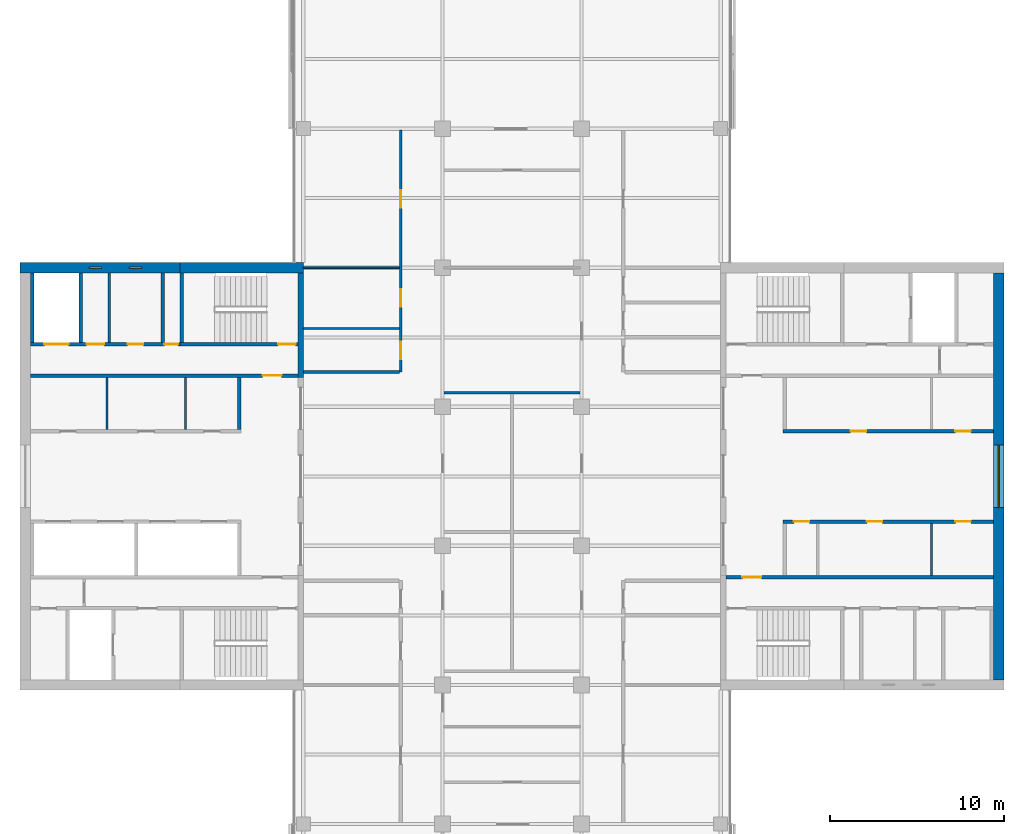
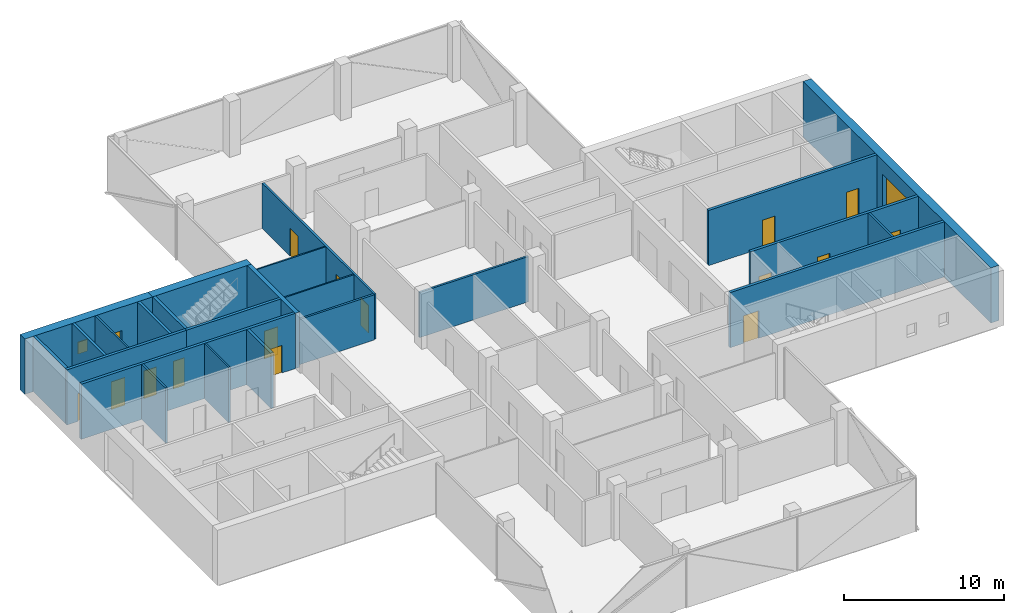
# One storey, part 11 of 16: 24 walls, 15 doors, 3 windows, 18 openings.
"""IFC4 building model written with IfcOpenShell, lengths in metres."""

import ifcopenshell
import ifcopenshell.guid

model = None  # the IFC model being written
_history = None  # IfcOwnerHistory: only IFC2X3 demands one
_inside = {}  # id of a spatial element -> (the spatial element, [elements in it])
_under = {}  # id of a project, library or spatial element -> (it, [spatial elements below it])
_declared = {}  # id of a project -> (the project, [libraries it declares])
_typed = {}  # id of a type object -> (the type object, [elements of that type])
_made_of = {}  # id of a material, layer set ... -> (it, [elements and type objects made of it])


def new_model(schema):
    """Start an empty IFC model of exactly this schema.

    Asked for "IFC4X3", IfcOpenShell would pick the latest addendum, in which some entities
    have other attributes; the version numbers below select the first issue.
    IFC2X3 requires an IfcOwnerHistory on every rooted entity: one is made here for all.
    """
    global model, _history
    if schema == "IFC4X3":
        model = ifcopenshell.file(schema_version=(4, 3, 0, 0))
    else:
        model = ifcopenshell.file(schema=schema)
    _inside.clear()
    _under.clear()
    _declared.clear()
    _typed.clear()
    _made_of.clear()
    _history = None
    if model.schema == "IFC2X3":
        org = make("IfcOrganization", Name="unknown")
        user = make(
            "IfcPersonAndOrganization",
            ThePerson=make("IfcPerson", FamilyName="unknown"),
            TheOrganization=org,
        )
        app = make(
            "IfcApplication",
            ApplicationDeveloper=org,
            Version="unknown",
            ApplicationFullName="unknown",
            ApplicationIdentifier="unknown",
        )
        _history = make(
            "IfcOwnerHistory",
            OwningUser=user,
            OwningApplication=app,
            ChangeAction="ADDED",
            CreationDate=0,
        )
    return model


def make(cls, **values):
    """One entity of the class cls with the attributes given. An attribute that is None is left unset."""
    return model.create_entity(
        cls, **{name: value for name, value in values.items() if value is not None}
    )


def rooted(cls, **values):
    """An entity with a GlobalId (a new one), such as an element, a storey or a relation."""
    return make(cls, GlobalId=ifcopenshell.guid.new(), OwnerHistory=_history, **values)


def si_unit(unit_type, name, prefix=None):
    """IfcSIUnit, for example si_unit("LENGTHUNIT", "METRE", prefix="MILLI")."""
    return make("IfcSIUnit", UnitType=unit_type, Prefix=prefix, Name=name)


def assignment(units):
    """IfcUnitAssignment: the units of a project."""
    return None if units is None else make("IfcUnitAssignment", Units=units)


def point(xyz):
    """IfcCartesianPoint."""
    return None if xyz is None else make("IfcCartesianPoint", Coordinates=xyz)


def direction(xyz):
    """IfcDirection."""
    return None if xyz is None else make("IfcDirection", DirectionRatios=xyz)


def frame(location, z_axis=None, x_axis=None):
    """IfcAxis2Placement3D, a coordinate frame: its origin and axes. An axis left out is left unset."""
    return make(
        "IfcAxis2Placement3D",
        Location=point(location),
        Axis=direction(z_axis),
        RefDirection=direction(x_axis),
    )


def frame_2d(location, x_axis=None):
    """IfcAxis2Placement2D, a coordinate frame in the plane: its origin and x axis."""
    return make(
        "IfcAxis2Placement2D", Location=point(location), RefDirection=direction(x_axis)
    )


def origin():
    """The frame at (0, 0, 0) with its axes left unset."""
    return frame((0.0, 0.0, 0.0))


def place(relative_to, where):
    """IfcLocalPlacement: puts the frame where relative to a parent placement (None: the world)."""
    return make(
        "IfcLocalPlacement", PlacementRelTo=relative_to, RelativePlacement=where
    )


def context(
    kind, dimensions, precision=None, world=None, true_north=None, identifier=None
):
    """IfcGeometricRepresentationContext, for example the 3D "Model" context."""
    return make(
        "IfcGeometricRepresentationContext",
        ContextIdentifier=identifier,
        ContextType=kind,
        CoordinateSpaceDimension=dimensions,
        Precision=precision,
        WorldCoordinateSystem=world,
        TrueNorth=true_north,
    )


def subcontext(parent, identifier, kind, view, scale=None):
    """IfcGeometricRepresentationSubContext, for example "Body" below "Model"."""
    return make(
        "IfcGeometricRepresentationSubContext",
        ContextIdentifier=identifier,
        ContextType=kind,
        ParentContext=parent,
        TargetScale=scale,
        TargetView=view,
    )


def project(units=None, contexts=None):
    """IfcProject with its units and contexts."""
    return rooted(
        "IfcProject",
        Name="project",
        RepresentationContexts=contexts,
        UnitsInContext=assignment(units),
    )


def spatial(cls, under=None, at=None, **own):
    """A site, building, storey or space (cls), placed at a placement, below another one or the project."""
    s = rooted(cls, ObjectPlacement=at, **own)
    if under is not None:
        _under.setdefault(under.id(), (under, []))[1].append(s)
    return s


def profile(cls, at=None, kind="AREA", **sizes):
    """A parametric profile (cls). Its sizes go by their IFC names, for example OverallWidth=200.0."""
    return make(cls, ProfileType=kind, Position=at, **sizes)


def rectangle(**sizes):
    """IfcRectangleProfileDef."""
    return profile("IfcRectangleProfileDef", **sizes)


def extrude(swept, where, along, depth):
    """IfcExtrudedAreaSolid: the profile swept, set in the frame where, extruded along a direction by depth."""
    return make(
        "IfcExtrudedAreaSolid",
        SweptArea=swept,
        Position=where,
        ExtrudedDirection=direction(along),
        Depth=depth,
    )


def shape(context_of_items, identifier, shape_type, items):
    """IfcShapeRepresentation: the items that make up one representation, for example the "Body"."""
    return make(
        "IfcShapeRepresentation",
        ContextOfItems=context_of_items,
        RepresentationIdentifier=identifier,
        RepresentationType=shape_type,
        Items=items,
    )


def material(Name=None, Category=None):
    """IfcMaterial."""
    return make("IfcMaterial", Name=Name, Category=Category)


def layer(
    of_material, thickness, ventilated=None, Name=None, Category=None, Priority=None
):
    """IfcMaterialLayer: one layer of a wall or slab, of a material (None: an air gap)."""
    return make(
        "IfcMaterialLayer",
        Material=of_material,
        LayerThickness=thickness,
        IsVentilated=ventilated,
        Name=Name,
        Category=Category,
        Priority=Priority,
    )


def layer_set(layers, Name=None):
    """IfcMaterialLayerSet."""
    return make("IfcMaterialLayerSet", MaterialLayers=layers, LayerSetName=Name)


def constituent(of_material, Name=None, Category=None, fraction=None):
    """IfcMaterialConstituent: one of the materials an element consists of."""
    return make(
        "IfcMaterialConstituent",
        Name=Name,
        Material=of_material,
        Fraction=fraction,
        Category=Category,
    )


def constituent_set(constituents=None, Name=None):
    """IfcMaterialConstituentSet."""
    return make(
        "IfcMaterialConstituentSet", Name=Name, MaterialConstituents=constituents
    )


def made_of(thing, what):
    """Note that an element or type object is made of a material, layer set ...; save() writes the relation."""
    if what is not None:
        _made_of.setdefault(what.id(), (what, []))[1].append(thing)
    return thing


def type_object(cls, material=None, **own):
    """A type object (cls), such as IfcWallType, which elements share."""
    return made_of(rooted(cls, **own), material)


def element(
    cls,
    number,
    at=None,
    inside=None,
    cuts=None,
    type_object=None,
    material=None,
    context=None,
    identifier="Body",
    shape_type=None,
    held_by="IfcProductDefinitionShape",
    body=None,
    shapes=None,
    **own,
):
    """One element of the class cls, such as IfcWall. Its Tag is "e" and its number.

    at: its placement. inside: the storey or other place that contains it. cuts: it is an
    opening in that element (IfcRelVoidsElement). A single representation is given by context,
    identifier, shape_type and body (its items); several are given by shapes. held_by: the class
    of the entity that holds the representations. save() writes the other relations.
    """
    e = rooted(cls, Tag="e%d" % number, ObjectPlacement=at, **own)
    if body is not None:
        shapes = [shape(context, identifier, shape_type, body)]
    if shapes is not None:
        e.Representation = make(held_by, Representations=shapes)
    if inside is not None:
        _inside.setdefault(inside.id(), (inside, []))[1].append(e)
    if cuts is not None:
        rooted(
            "IfcRelVoidsElement", RelatingBuildingElement=cuts, RelatedOpeningElement=e
        )
    if type_object is not None:
        _typed.setdefault(type_object.id(), (type_object, []))[1].append(e)
    return made_of(e, material)


def fill(opening, filler):
    """IfcRelFillsElement: the door or window that sits in an opening."""
    return rooted(
        "IfcRelFillsElement",
        RelatingOpeningElement=opening,
        RelatedBuildingElement=filler,
    )


def aggregate(whole, parts):
    """IfcRelAggregates: a whole, such as a stair, and the parts it consists of."""
    return rooted("IfcRelAggregates", RelatingObject=whole, RelatedObjects=parts)


def save(model, path):
    """Write the relations noted so far, then the file.

    IfcRelAggregates (storeys below a building ...), IfcRelContainedInSpatialStructure (elements
    in a storey), IfcRelDefinesByType, IfcRelAssociatesMaterial and IfcRelDeclares: one each for
    every whole, place, type object, material and project.
    """
    for whole, parts in _under.values():
        aggregate(whole, parts)
    for where, things in _inside.values():
        rooted(
            "IfcRelContainedInSpatialStructure",
            RelatedElements=things,
            RelatingStructure=where,
        )
    for kind, things in _typed.values():
        rooted("IfcRelDefinesByType", RelatedObjects=things, RelatingType=kind)
    for what, things in _made_of.values():
        rooted("IfcRelAssociatesMaterial", RelatedObjects=things, RelatingMaterial=what)
    for by, libraries in _declared.values():
        rooted("IfcRelDeclares", RelatingContext=by, RelatedDefinitions=libraries)
    model.write(path)


model = new_model("IFC4")

# Units and contexts
model_context = context("Model", 3, precision=1e-05, world=origin(), true_north=direction((0.0, 1.0)))
body_context = subcontext(model_context, "Body", "Model", "MODEL_VIEW")
ifc_project = project(units=[si_unit("LENGTHUNIT", "METRE"), si_unit("AREAUNIT", "SQUARE_METRE"), si_unit("VOLUMEUNIT", "CUBIC_METRE"), si_unit("PLANEANGLEUNIT", "RADIAN"), si_unit("MASSUNIT", "GRAM", prefix="KILO")], contexts=[model_context])

# Site, building, storey
site_placement = place(None, origin())
site = spatial("IfcSite", under=ifc_project, at=site_placement, CompositionType="ELEMENT")
building_placement = place(site_placement, origin())
building = spatial("IfcBuilding", under=site, at=building_placement, Name="Crosswind Convention Tower", CompositionType="ELEMENT")
storey_placement = place(building_placement, frame((0.0, 0.0, 208.300048828125)))
storey = spatial("IfcBuildingStorey", under=building, at=storey_placement, Name="L44", CompositionType="ELEMENT", Elevation=208.300048828125)

# Walls
ifc_material_1 = material(Name="Concrete blockwork", Category="masonry")
ifc_layer_1 = layer(ifc_material_1, 0.199951171875)
ifc_layer_set_1 = layer_set([ifc_layer_1], Name="Blockwork partition wall 200")
wall_type_1 = type_object("IfcWallType", Name="Blockwork partition wall 200", PredefinedType="PARTITIONING", material=ifc_layer_set_1)
wall_1_placement = place(storey_placement, frame((104.89990234375, 111.699951171875, 0.0), z_axis=(0.0, 0.0, 1.0), x_axis=(0.0, -1.0, 0.0)))
element("IfcWall", 1, at=wall_1_placement, inside=storey, type_object=wall_type_1, Name="Wall MRSE W L44", PredefinedType="PARTITIONING", context=body_context, shape_type="SweptSolid", body=[
    extrude(rectangle(XDim=4.0, YDim=0.199951171875, at=frame_2d((2.0, 0.0))), origin(), (0.0, 0.0, 1.0), 4.199951171875),
])
ifc_material_2 = material(Name="Concrete C50/60", Category="concrete")
ifc_layer_2 = layer(ifc_material_2, 0.300048828125)
ifc_layer_set_2 = layer_set([ifc_layer_2], Name="Concrete C50/60")
wall_type_2 = type_object("IfcWallType", Name="Concrete inner core wall 300", PredefinedType="SHEAR", material=ifc_layer_set_2)
wall_2_placement = place(storey_placement, frame((112.85009765625, 111.699951171875, 0.0), z_axis=(0.0, 0.0, 1.0), x_axis=(0.0, -1.0, 0.0)))
element("IfcWall", 2, at=wall_2_placement, inside=storey, type_object=wall_type_2, Name="Wall EM W L44", PredefinedType="SHEAR", context=body_context, shape_type="SweptSolid", body=[
    extrude(rectangle(XDim=6.0, YDim=0.300048828125, at=frame_2d((3.0, 0.0))), origin(), (0.0, 0.0, 1.0), 4.199951171875),
])

# Wall, openings, doors
ifc_layer_3 = layer(ifc_material_2, 0.199951171875)
ifc_layer_set_3 = layer_set([ifc_layer_3], Name="Concrete C50/60")
wall_type_3 = type_object("IfcWallType", Name="Concrete shaft and stair wall 200", PredefinedType="SHEAR", material=ifc_layer_set_3)
wall_3_placement = place(storey_placement, frame((140.60009765625, 102.60009765625, 0.0), z_axis=(0.0, 0.0, 1.0), x_axis=(1.0, 0.0, 0.0)))
wall_3 = element("IfcWall", 3, at=wall_3_placement, inside=storey, type_object=wall_type_3, Name="Wall RPFRONT E L44", PredefinedType="SHEAR", context=body_context, shape_type="SweptSolid", body=[
    extrude(rectangle(XDim=12.099853515625, YDim=0.199951171875, at=frame_2d((6.0498046875, 0.0))), origin(), (0.0, 0.0, 1.0), 4.199951171875),
])
opening_1_placement = place(wall_3_placement, frame((3.8837890625, 0.0, 0.0)))
opening_1 = element("IfcOpeningElement", 4, at=opening_1_placement, cuts=wall_3, Name="Opening D106", PredefinedType="OPENING", context=body_context, shape_type="SweptSolid", body=[
    extrude(rectangle(XDim=0.89990234375, YDim=2.10009765625, at=frame_2d((0.449951171875, 1.050048828125))), frame((0.0, 0.10986328125, 0.0), z_axis=(0.0, -1.0, 0.0), x_axis=(1.0, 0.0, 0.0)), (0.0, 0.0, 1.0), 0.219970703125),
])
opening_2_placement = place(wall_3_placement, frame((9.896240234375, 0.0, 0.0)))
opening_2 = element("IfcOpeningElement", 5, at=opening_2_placement, cuts=wall_3, Name="Opening D106", PredefinedType="OPENING", context=body_context, shape_type="SweptSolid", body=[
    extrude(rectangle(XDim=0.89990234375, YDim=2.10009765625, at=frame_2d((0.449951171875, 1.050048828125))), frame((0.0, 0.10986328125, 0.0), z_axis=(0.0, -1.0, 0.0), x_axis=(1.0, 0.0, 0.0)), (0.0, 0.0, 1.0), 0.219970703125),
])
ifc_material_3 = material(Name="Timber door", Category="wood")
door_type_1 = type_object("IfcDoorType", Name="Single leaf door 900x2100", OperationType="NOTDEFINED", PredefinedType="DOOR", material=ifc_material_3)
door_1_placement = place(opening_1_placement, origin())
door_1 = element("IfcDoor", 6, at=door_1_placement, inside=storey, type_object=door_type_1, Name="Door to telecoms room L44", ObjectType="D106", OperationType="SINGLE_SWING_RIGHT", OverallHeight=2.10009765625, OverallWidth=0.89990234375, PredefinedType="DOOR", context=body_context, shape_type="SweptSolid", body=[
    extrude(rectangle(XDim=0.89990234375, YDim=2.10009765625, at=frame_2d((0.449951171875, 1.050048828125))), frame((0.0, 0.02490234375, 0.0), z_axis=(0.0, -1.0, 0.0), x_axis=(1.0, 0.0, 0.0)), (0.0, 0.0, 1.0), 0.050048828125),
])
fill(opening_1, door_1)
door_2_placement = place(opening_2_placement, origin())
door_2 = element("IfcDoor", 7, at=door_2_placement, inside=storey, type_object=door_type_1, Name="Door to storeroom L44", ObjectType="D106", OperationType="SINGLE_SWING_RIGHT", OverallHeight=2.10009765625, OverallWidth=0.89990234375, PredefinedType="DOOR", context=body_context, shape_type="SweptSolid", body=[
    extrude(rectangle(XDim=0.89990234375, YDim=2.10009765625, at=frame_2d((0.449951171875, 1.050048828125))), frame((0.0, 0.02490234375, 0.0), z_axis=(0.0, -1.0, 0.0), x_axis=(1.0, 0.0, 0.0)), (0.0, 0.0, 1.0), 0.050048828125),
])
fill(opening_2, door_2)

wall_4_placement = place(storey_placement, frame((140.60009765625, 97.39990234375, 0.0), z_axis=(0.0, 0.0, 1.0), x_axis=(1.0, 0.0, 0.0)))
wall_4 = element("IfcWall", 8, at=wall_4_placement, inside=storey, type_object=wall_type_3, Name="Wall RMFRONT E L44", PredefinedType="SHEAR", context=body_context, shape_type="SweptSolid", body=[
    extrude(rectangle(XDim=12.099853515625, YDim=0.199951171875, at=frame_2d((6.0498046875, 0.0))), origin(), (0.0, 0.0, 1.0), 4.199951171875),
])
opening_3_placement = place(wall_4_placement, frame((0.611328125, 0.0, 0.0)))
opening_3 = element("IfcOpeningElement", 9, at=opening_3_placement, cuts=wall_4, Name="Opening D106", PredefinedType="OPENING", context=body_context, shape_type="SweptSolid", body=[
    extrude(rectangle(XDim=0.89990234375, YDim=2.10009765625, at=frame_2d((0.449951171875, 1.050048828125))), frame((0.0, 0.10986328125, 0.0), z_axis=(0.0, -1.0, 0.0), x_axis=(1.0, 0.0, 0.0)), (0.0, 0.0, 1.0), 0.219970703125),
])
opening_4_placement = place(wall_4_placement, frame((4.8076171875, 0.0, 0.0)))
opening_4 = element("IfcOpeningElement", 10, at=opening_4_placement, cuts=wall_4, Name="Opening D106", PredefinedType="OPENING", context=body_context, shape_type="SweptSolid", body=[
    extrude(rectangle(XDim=0.89990234375, YDim=2.10009765625, at=frame_2d((0.449951171875, 1.050048828125))), frame((0.0, 0.10986328125, 0.0), z_axis=(0.0, -1.0, 0.0), x_axis=(1.0, 0.0, 0.0)), (0.0, 0.0, 1.0), 0.219970703125),
])
opening_5_placement = place(wall_4_placement, frame((9.896240234375, 0.0, 0.0)))
opening_5 = element("IfcOpeningElement", 11, at=opening_5_placement, cuts=wall_4, Name="Opening D106", PredefinedType="OPENING", context=body_context, shape_type="SweptSolid", body=[
    extrude(rectangle(XDim=0.89990234375, YDim=2.10009765625, at=frame_2d((0.449951171875, 1.050048828125))), frame((0.0, 0.10986328125, 0.0), z_axis=(0.0, -1.0, 0.0), x_axis=(1.0, 0.0, 0.0)), (0.0, 0.0, 1.0), 0.219970703125),
])
door_3_placement = place(opening_3_placement, frame((0.89990234375, 0.0, 0.0), z_axis=(0.0, 0.0, 1.0), x_axis=(-1.0, 0.0, 0.0)))
door_3 = element("IfcDoor", 12, at=door_3_placement, inside=storey, type_object=door_type_1, Name="Door to storeroom L44", ObjectType="D106", OperationType="SINGLE_SWING_LEFT", OverallHeight=2.10009765625, OverallWidth=0.89990234375, PredefinedType="DOOR", context=body_context, shape_type="SweptSolid", body=[
    extrude(rectangle(XDim=0.89990234375, YDim=2.10009765625, at=frame_2d((0.449951171875, 1.050048828125))), frame((0.0, 0.02490234375, 0.0), z_axis=(0.0, -1.0, 0.0), x_axis=(1.0, 0.0, 0.0)), (0.0, 0.0, 1.0), 0.050048828125),
])
fill(opening_3, door_3)
door_4_placement = place(opening_4_placement, frame((0.89990234375, 0.0, 0.0), z_axis=(0.0, 0.0, 1.0), x_axis=(-1.0, 0.0, 0.0)))
door_4 = element("IfcDoor", 13, at=door_4_placement, inside=storey, type_object=door_type_1, Name="Door to tenant services room L44", ObjectType="D106", OperationType="SINGLE_SWING_LEFT", OverallHeight=2.10009765625, OverallWidth=0.89990234375, PredefinedType="DOOR", context=body_context, shape_type="SweptSolid", body=[
    extrude(rectangle(XDim=0.89990234375, YDim=2.10009765625, at=frame_2d((0.449951171875, 1.050048828125))), frame((0.0, 0.02490234375, 0.0), z_axis=(0.0, -1.0, 0.0), x_axis=(1.0, 0.0, 0.0)), (0.0, 0.0, 1.0), 0.050048828125),
])
fill(opening_4, door_4)
door_5_placement = place(opening_5_placement, frame((0.89990234375, 0.0, 0.0), z_axis=(0.0, 0.0, 1.0), x_axis=(-1.0, 0.0, 0.0)))
door_5 = element("IfcDoor", 14, at=door_5_placement, inside=storey, type_object=door_type_1, Name="Door to copy and print room L44", ObjectType="D106", OperationType="SINGLE_SWING_LEFT", OverallHeight=2.10009765625, OverallWidth=0.89990234375, PredefinedType="DOOR", context=body_context, shape_type="SweptSolid", body=[
    extrude(rectangle(XDim=0.89990234375, YDim=2.10009765625, at=frame_2d((0.449951171875, 1.050048828125))), frame((0.0, 0.02490234375, 0.0), z_axis=(0.0, -1.0, 0.0), x_axis=(1.0, 0.0, 0.0)), (0.0, 0.0, 1.0), 0.050048828125),
])
fill(opening_5, door_5)

# Wall, opening, door
wall_5_placement = place(storey_placement, frame((137.300048828125, 94.199951171875, 0.0), z_axis=(0.0, 0.0, 1.0), x_axis=(1.0, 0.0, 0.0)))
wall_5 = element("IfcWall", 15, at=wall_5_placement, inside=storey, type_object=wall_type_3, Name="Wall HM E L44", PredefinedType="SHEAR", context=body_context, shape_type="SweptSolid", body=[
    extrude(rectangle(XDim=15.39990234375, YDim=0.199951171875, at=frame_2d((7.699951171875, 0.0))), origin(), (0.0, 0.0, 1.0), 4.199951171875),
])
opening_6_placement = place(wall_5_placement, frame((0.949951171875, 0.0, 0.0)))
opening_6 = element("IfcOpeningElement", 16, at=opening_6_placement, cuts=wall_5, Name="Opening D104", PredefinedType="OPENING", context=body_context, shape_type="SweptSolid", body=[
    extrude(rectangle(XDim=1.10009765625, YDim=2.10009765625, at=frame_2d((0.550048828125, 1.050048828125))), frame((0.0, 0.10986328125, 0.0), z_axis=(0.0, -1.0, 0.0), x_axis=(1.0, 0.0, 0.0)), (0.0, 0.0, 1.0), 0.219970703125),
])
ifc_material_4 = material(Name="Steel fire door", Category="steel")
door_type_2 = type_object("IfcDoorType", Name="Fire-rated single door 1100x2100", OperationType="NOTDEFINED", PredefinedType="DOOR", material=ifc_material_4)
door_6_placement = place(opening_6_placement, origin())
door_6 = element("IfcDoor", 17, at=door_6_placement, inside=storey, type_object=door_type_2, Name="Corridor door L44", ObjectType="D104", OperationType="SINGLE_SWING_LEFT", OverallHeight=2.10009765625, OverallWidth=1.10009765625, PredefinedType="DOOR", context=body_context, shape_type="SweptSolid", body=[
    extrude(rectangle(XDim=1.10009765625, YDim=2.10009765625, at=frame_2d((0.550048828125, 1.050048828125))), frame((0.0, 0.02490234375, 0.0), z_axis=(0.0, -1.0, 0.0), x_axis=(1.0, 0.0, 0.0)), (0.0, 0.0, 1.0), 0.050048828125),
])
fill(opening_6, door_6)

# Wall
wall_6_placement = place(storey_placement, frame((109.300048828125, 105.699951171875, 0.0), z_axis=(0.0, 0.0, 1.0), x_axis=(0.0, -1.0, 0.0)))
element("IfcWall", 18, at=wall_6_placement, inside=storey, type_object=wall_type_3, Name="Wall RMEND W L44", PredefinedType="SHEAR", context=body_context, shape_type="SweptSolid", body=[
    extrude(rectangle(XDim=3.0, YDim=0.199951171875, at=frame_2d((1.5, 0.0))), origin(), (0.0, 0.0, 1.0), 4.199951171875),
])

# Wall, opening, door
wall_7_placement = place(storey_placement, frame((112.699951171875, 105.800048828125, 0.0), z_axis=(0.0, 0.0, 1.0), x_axis=(-1.0, 0.0, 0.0)))
wall_7 = element("IfcWall", 19, at=wall_7_placement, inside=storey, type_object=wall_type_3, Name="Wall HM W L44", PredefinedType="SHEAR", context=body_context, shape_type="SweptSolid", body=[
    extrude(rectangle(XDim=15.39990234375, YDim=0.199951171875, at=frame_2d((7.699951171875, 0.0))), origin(), (0.0, 0.0, 1.0), 4.199951171875),
])
opening_7_placement = place(wall_7_placement, frame((0.949951171875, 0.0, 0.0)))
opening_7 = element("IfcOpeningElement", 20, at=opening_7_placement, cuts=wall_7, Name="Opening D104", PredefinedType="OPENING", context=body_context, shape_type="SweptSolid", body=[
    extrude(rectangle(XDim=1.10009765625, YDim=2.10009765625, at=frame_2d((0.550048828125, 1.050048828125))), frame((0.0, 0.10986328125, 0.0), z_axis=(0.0, -1.0, 0.0), x_axis=(1.0, 0.0, 0.0)), (0.0, 0.0, 1.0), 0.219970703125),
])
door_7_placement = place(opening_7_placement, origin())
door_7 = element("IfcDoor", 21, at=door_7_placement, inside=storey, type_object=door_type_2, Name="Corridor door L44", ObjectType="D104", OperationType="SINGLE_SWING_LEFT", OverallHeight=2.10009765625, OverallWidth=1.10009765625, PredefinedType="DOOR", context=body_context, shape_type="SweptSolid", body=[
    extrude(rectangle(XDim=1.10009765625, YDim=2.10009765625, at=frame_2d((0.550048828125, 1.050048828125))), frame((0.0, 0.02490234375, 0.0), z_axis=(0.0, -1.0, 0.0), x_axis=(1.0, 0.0, 0.0)), (0.0, 0.0, 1.0), 0.050048828125),
])
fill(opening_7, door_7)

# Walls
for number, where, z_axis, x_axis, name in (
    (22, (106.0, 111.699951171875, 0.0), (0.0, 0.0, 1.0), (0.0, -1.0, 0.0), "Wall MSE W L44"),
    (23, (100.199951171875, 111.699951171875, 0.0), (0.0, 0.0, 1.0), (0.0, -1.0, 0.0), "Wall MFSW W L44"),
    (24, (97.39990234375, 111.699951171875, 0.0), (0.0, 0.0, 1.0), (0.0, -1.0, 0.0), "Wall MFSE W L44"),
):
    element("IfcWall", number, at=place(storey_placement, frame(where, z_axis=z_axis, x_axis=x_axis)), inside=storey, type_object=wall_type_3, Name=name, PredefinedType="SHEAR", context=body_context, shape_type="SweptSolid", body=[
        extrude(rectangle(XDim=4.0, YDim=0.199951171875, at=frame_2d((2.0, 0.0))), origin(), (0.0, 0.0, 1.0), 4.199951171875),
    ])

# Wall, opening, door
wall_8_placement = place(storey_placement, frame((112.699951171875, 107.60009765625, 0.0), z_axis=(0.0, 0.0, 1.0), x_axis=(-1.0, 0.0, 0.0)))
wall_8 = element("IfcWall", 25, at=wall_8_placement, inside=storey, type_object=wall_type_3, Name="Wall MCW W L44", PredefinedType="SHEAR", context=body_context, shape_type="SweptSolid", body=[
    extrude(rectangle(XDim=6.800048828125, YDim=0.199951171875, at=frame_2d((3.39990234375, 0.0))), origin(), (0.0, 0.0, 1.0), 4.199951171875),
])
opening_8_placement = place(wall_8_placement, frame((0.14990234375, 0.0, 0.0)))
opening_8 = element("IfcOpeningElement", 26, at=opening_8_placement, cuts=wall_8, Name="Opening D103", PredefinedType="OPENING", context=body_context, shape_type="SweptSolid", body=[
    extrude(rectangle(XDim=1.0, YDim=2.10009765625, at=frame_2d((0.5, 1.050048828125))), frame((0.0, 0.10986328125, 0.0), z_axis=(0.0, -1.0, 0.0), x_axis=(1.0, 0.0, 0.0)), (0.0, 0.0, 1.0), 0.219970703125),
])
door_type_3 = type_object("IfcDoorType", Name="Fire-rated single door 1000x2100", OperationType="NOTDEFINED", PredefinedType="DOOR", material=ifc_material_4)
door_8_placement = place(opening_8_placement, frame((1.0, 0.0, 0.0), z_axis=(0.0, 0.0, 1.0), x_axis=(-1.0, 0.0, 0.0)))
door_8 = element("IfcDoor", 27, at=door_8_placement, inside=storey, type_object=door_type_3, Name="Stair ST4 door L44", ObjectType="D103", OperationType="SINGLE_SWING_RIGHT", OverallHeight=2.10009765625, OverallWidth=1.0, PredefinedType="DOOR", context=body_context, shape_type="SweptSolid", body=[
    extrude(rectangle(XDim=1.0, YDim=2.10009765625, at=frame_2d((0.5, 1.050048828125))), frame((0.0, 0.02490234375, 0.0), z_axis=(0.0, -1.0, 0.0), x_axis=(1.0, 0.0, 0.0)), (0.0, 0.0, 1.0), 0.050048828125),
])
fill(opening_8, door_8)

# Wall, openings, doors
wall_9_placement = place(storey_placement, frame((105.89990234375, 107.60009765625, 0.0), z_axis=(0.0, 0.0, 1.0), x_axis=(-1.0, 0.0, 0.0)))
wall_9 = element("IfcWall", 28, at=wall_9_placement, inside=storey, type_object=wall_type_3, Name="Wall MCX W L44", PredefinedType="SHEAR", context=body_context, shape_type="SweptSolid", body=[
    extrude(rectangle(XDim=8.599853515625, YDim=0.199951171875, at=frame_2d((4.2998046875, 0.0))), origin(), (0.0, 0.0, 1.0), 4.199951171875),
])
opening_9_placement = place(wall_9_placement, frame((0.10009765625, 0.0, 0.0)))
opening_9 = element("IfcOpeningElement", 29, at=opening_9_placement, cuts=wall_9, Name="Opening D105", PredefinedType="OPENING", context=body_context, shape_type="SweptSolid", body=[
    extrude(rectangle(XDim=0.800048828125, YDim=2.10009765625, at=frame_2d((0.39990234375, 1.050048828125))), frame((0.0, 0.10986328125, 0.0), z_axis=(0.0, -1.0, 0.0), x_axis=(1.0, 0.0, 0.0)), (0.0, 0.0, 1.0), 0.219970703125),
])
opening_10_placement = place(wall_9_placement, frame((2.103759765625, 0.0, 0.0)))
opening_10 = element("IfcOpeningElement", 30, at=opening_10_placement, cuts=wall_9, Name="Opening D106", PredefinedType="OPENING", context=body_context, shape_type="SweptSolid", body=[
    extrude(rectangle(XDim=0.89990234375, YDim=2.10009765625, at=frame_2d((0.449951171875, 1.050048828125))), frame((0.0, 0.10986328125, 0.0), z_axis=(0.0, -1.0, 0.0), x_axis=(1.0, 0.0, 0.0)), (0.0, 0.0, 1.0), 0.219970703125),
])
opening_11_placement = place(wall_9_placement, frame((4.3662109375, 0.0, 0.0)))
opening_11 = element("IfcOpeningElement", 31, at=opening_11_placement, cuts=wall_9, Name="Opening D103", PredefinedType="OPENING", context=body_context, shape_type="SweptSolid", body=[
    extrude(rectangle(XDim=1.0, YDim=2.10009765625, at=frame_2d((0.5, 1.050048828125))), frame((0.0, 0.10986328125, 0.0), z_axis=(0.0, -1.0, 0.0), x_axis=(1.0, 0.0, 0.0)), (0.0, 0.0, 1.0), 0.219970703125),
])
opening_12_placement = place(wall_9_placement, frame((6.39990234375, 0.0, 0.0)))
opening_12 = element("IfcOpeningElement", 32, at=opening_12_placement, cuts=wall_9, Name="Opening LD2", PredefinedType="OPENING", context=body_context, shape_type="SweptSolid", body=[
    extrude(rectangle(XDim=1.39990234375, YDim=2.10009765625, at=frame_2d((0.699951171875, 1.050048828125))), frame((0.0, 0.10986328125, 0.0), z_axis=(0.0, -1.0, 0.0), x_axis=(1.0, 0.0, 0.0)), (0.0, 0.0, 1.0), 0.219970703125),
])
door_9_placement = place(opening_11_placement, frame((1.0, 0.0, 0.0), z_axis=(0.0, 0.0, 1.0), x_axis=(-1.0, 0.0, 0.0)))
door_9 = element("IfcDoor", 33, at=door_9_placement, inside=storey, type_object=door_type_3, Name="Door to accessible wc L44", ObjectType="D103", OperationType="SINGLE_SWING_LEFT", OverallHeight=2.10009765625, OverallWidth=1.0, PredefinedType="DOOR", context=body_context, shape_type="SweptSolid", body=[
    extrude(rectangle(XDim=1.0, YDim=2.10009765625, at=frame_2d((0.5, 1.050048828125))), frame((0.0, 0.02490234375, 0.0), z_axis=(0.0, -1.0, 0.0), x_axis=(1.0, 0.0, 0.0)), (0.0, 0.0, 1.0), 0.050048828125),
])
fill(opening_11, door_9)
ifc_material_5 = material(Name="Stainless steel", Category="steel")
door_type_4 = type_object("IfcDoorType", Name="Lift landing door 1400x2100", OperationType="DOUBLE_DOOR_SLIDING", PredefinedType="DOOR", material=ifc_material_5)
door_10_placement = place(opening_12_placement, origin())
door_10 = element("IfcDoor", 34, at=door_10_placement, inside=storey, type_object=door_type_4, Name="Landing door SV2 L44", ObjectType="LD2", OperationType="DOUBLE_DOOR_SLIDING", OverallHeight=2.10009765625, OverallWidth=1.39990234375, PredefinedType="DOOR", context=body_context, shape_type="SweptSolid", body=[
    extrude(rectangle(XDim=1.39990234375, YDim=2.10009765625, at=frame_2d((0.699951171875, 1.050048828125))), frame((0.0, 0.02490234375, 0.0), z_axis=(0.0, -1.0, 0.0), x_axis=(1.0, 0.0, 0.0)), (0.0, 0.0, 1.0), 0.050048828125),
])
fill(opening_12, door_10)
door_type_5 = type_object("IfcDoorType", Name="Riser access door 800x2100", OperationType="NOTDEFINED", PredefinedType="DOOR", material=ifc_material_4)
door_11_placement = place(opening_9_placement, frame((0.800048828125, 0.0, 0.0), z_axis=(0.0, 0.0, 1.0), x_axis=(-1.0, 0.0, 0.0)))
door_11 = element("IfcDoor", 35, at=door_11_placement, inside=storey, type_object=door_type_5, Name="Riser door L44", ObjectType="D105", OperationType="SINGLE_SWING_LEFT", OverallHeight=2.10009765625, OverallWidth=0.800048828125, PredefinedType="DOOR", context=body_context, shape_type="SweptSolid", body=[
    extrude(rectangle(XDim=0.800048828125, YDim=2.10009765625, at=frame_2d((0.39990234375, 1.050048828125))), frame((0.0, 0.02490234375, 0.0), z_axis=(0.0, -1.0, 0.0), x_axis=(1.0, 0.0, 0.0)), (0.0, 0.0, 1.0), 0.050048828125),
])
fill(opening_9, door_11)
door_12_placement = place(opening_10_placement, frame((0.89990234375, 0.0, 0.0), z_axis=(0.0, 0.0, 1.0), x_axis=(-1.0, 0.0, 0.0)))
door_12 = element("IfcDoor", 36, at=door_12_placement, inside=storey, type_object=door_type_1, Name="Door to wc L44", ObjectType="D106", OperationType="SINGLE_SWING_LEFT", OverallHeight=2.10009765625, OverallWidth=0.89990234375, PredefinedType="DOOR", context=body_context, shape_type="SweptSolid", body=[
    extrude(rectangle(XDim=0.89990234375, YDim=2.10009765625, at=frame_2d((0.449951171875, 1.050048828125))), frame((0.0, 0.02490234375, 0.0), z_axis=(0.0, -1.0, 0.0), x_axis=(1.0, 0.0, 0.0)), (0.0, 0.0, 1.0), 0.050048828125),
])
fill(opening_10, door_12)

# Walls
ifc_material_6 = material(Name="Gypsum plasterboard partition", Category="gypsum")
ifc_layer_4 = layer(ifc_material_6, 0.125)
ifc_layer_set_4 = layer_set([ifc_layer_4], Name="Drywall partition wall 125")
wall_type_4 = type_object("IfcWallType", Name="Drywall partition wall 125", PredefinedType="PARTITIONING", material=ifc_layer_set_4)
for number, where, z_axis, x_axis, name in (
    (37, (149.1298828125, 94.300048828125, 0.0), (0.0, 0.0, 1.0), (0.0, 1.0, 0.0), "Wall RMP2 E L44"),
    (38, (106.22509765625, 105.699951171875, 0.0), (0.0, 0.0, 1.0), (0.0, -1.0, 0.0), "Wall RMP1 W L44"),
    (39, (101.702880859375, 105.699951171875, 0.0), (0.0, 0.0, 1.0), (0.0, -1.0, 0.0), "Wall RMP2 W L44"),
):
    element("IfcWall", number, at=place(storey_placement, frame(where, z_axis=z_axis, x_axis=x_axis)), inside=storey, type_object=wall_type_4, Name=name, PredefinedType="PARTITIONING", context=body_context, shape_type="SweptSolid", body=[
        extrude(rectangle(XDim=3.0, YDim=0.125, at=frame_2d((1.5, 0.0))), origin(), (0.0, 0.0, 1.0), 4.199951171875),
    ])
wall_10_placement = place(storey_placement, frame((101.830078125, 111.699951171875, 0.0), z_axis=(0.0, 0.0, 1.0), x_axis=(0.0, -1.0, 0.0)))
element("IfcWall", 40, at=wall_10_placement, inside=storey, type_object=wall_type_4, Name="Wall MWP1 W L44", PredefinedType="PARTITIONING", context=body_context, shape_type="SweptSolid", body=[
    extrude(rectangle(XDim=4.0, YDim=0.125, at=frame_2d((2.0, 0.0))), origin(), (0.0, 0.0, 1.0), 4.199951171875),
])
ifc_material_7 = material(Name="Plasterboard partition", Category="gypsum")
ifc_layer_5 = layer(ifc_material_7, 0.10009765625)
ifc_layer_set_5 = layer_set([ifc_layer_5], Name="PARTITION 100 METAL STUD")
wall_type_5 = type_object("IfcWallType", Name="PARTITION 100 METAL STUD", PredefinedType="PARTITIONING", material=ifc_layer_set_5)
for number, where, z_axis, x_axis, name in (
    (41, (113.0, 108.5, 0.0), (0.0, 0.0, 1.0), (1.0, 0.0, 0.0), "Partition wall WT40"),
    (42, (113.0, 112.0, 0.0), (0.0, 0.0, 1.0), (1.0, 0.0, 0.0), "Partition wall WT40"),
):
    element("IfcWall", number, at=place(storey_placement, frame(where, z_axis=z_axis, x_axis=x_axis)), inside=storey, type_object=wall_type_5, Name=name, PredefinedType="PARTITIONING", context=body_context, shape_type="SweptSolid", body=[
        extrude(rectangle(XDim=5.52490234375, YDim=0.10009765625, at=frame_2d((2.762451171875, 0.0))), origin(), (0.0, 0.0, 1.0), 3.439697265625),
    ])

# Wall, openings, doors
ifc_material_8 = material(Name="Fire-board partition with mineral wool", Category="gypsum")
ifc_layer_6 = layer(ifc_material_8, 0.14990234375)
ifc_layer_set_6 = layer_set([ifc_layer_6], Name="TENANCY WALL 150 TWO-HOUR BOARD")
wall_type_6 = type_object("IfcWallType", Name="TENANCY WALL 150 TWO-HOUR BOARD", PredefinedType="PARTITIONING", material=ifc_layer_set_6)
wall_11_placement = place(storey_placement, frame((118.60009765625, 106.0, 0.0), z_axis=(0.0, 0.0, 1.0), x_axis=(0.0, 1.0, 0.0)))
wall_11 = element("IfcWall", 43, at=wall_11_placement, inside=storey, type_object=wall_type_6, Name="Tenancy wall WT41", PredefinedType="PARTITIONING", context=body_context, shape_type="SweptSolid", body=[
    extrude(rectangle(XDim=13.925048828125, YDim=0.14990234375, at=frame_2d((6.96240234375, 0.0))), origin(), (0.0, 0.0, 1.0), 3.439697265625),
])
opening_13_placement = place(wall_11_placement, frame((0.75, 0.0, 0.0)))
opening_13 = element("IfcOpeningElement", 44, at=opening_13_placement, cuts=wall_11, Name="Opening L44-57", PredefinedType="OPENING", context=body_context, shape_type="SweptSolid", body=[
    extrude(rectangle(XDim=1.0, YDim=2.10009765625, at=frame_2d((0.5, 1.050048828125))), frame((0.0, 0.0849609375, 0.0), z_axis=(0.0, -1.0, 0.0), x_axis=(1.0, 0.0, 0.0)), (0.0, 0.0, 1.0), 0.169921875),
])
opening_14_placement = place(wall_11_placement, frame((3.75, 0.0, 0.0)))
opening_14 = element("IfcOpeningElement", 45, at=opening_14_placement, cuts=wall_11, Name="Opening L44-58", PredefinedType="OPENING", context=body_context, shape_type="SweptSolid", body=[
    extrude(rectangle(XDim=1.0, YDim=2.10009765625, at=frame_2d((0.5, 1.050048828125))), frame((0.0, 0.0849609375, 0.0), z_axis=(0.0, -1.0, 0.0), x_axis=(1.0, 0.0, 0.0)), (0.0, 0.0, 1.0), 0.169921875),
])
opening_15_placement = place(wall_11_placement, frame((9.449951171875, 0.0, 0.0)))
opening_15 = element("IfcOpeningElement", 46, at=opening_15_placement, cuts=wall_11, Name="Opening L44-59", PredefinedType="OPENING", context=body_context, shape_type="SweptSolid", body=[
    extrude(rectangle(XDim=1.0, YDim=2.10009765625, at=frame_2d((0.5, 1.050048828125))), frame((0.0, 0.0849609375, 0.0), z_axis=(0.0, -1.0, 0.0), x_axis=(1.0, 0.0, 0.0)), (0.0, 0.0, 1.0), 0.169921875),
])
ifc_material_9 = material(Name="Timber fire door", Category="wood")
door_type_6 = type_object("IfcDoorType", Name="TENANCY ENTRANCE DOOR 1000X2100 FD30S", OperationType="NOTDEFINED", PredefinedType="DOOR", material=ifc_material_9)
door_13_placement = place(opening_13_placement, origin())
door_13 = element("IfcDoor", 47, at=door_13_placement, inside=storey, type_object=door_type_6, Name="Door L44-57", ObjectType="D41", OperationType="SINGLE_SWING_RIGHT", OverallHeight=2.10009765625, OverallWidth=1.0, PredefinedType="DOOR", context=body_context, shape_type="SweptSolid", body=[
    extrude(rectangle(XDim=1.0, YDim=2.10009765625, at=frame_2d((0.5, 1.050048828125))), frame((0.0, 0.02490234375, 0.0), z_axis=(0.0, -1.0, 0.0), x_axis=(1.0, 0.0, 0.0)), (0.0, 0.0, 1.0), 0.050048828125),
])
fill(opening_13, door_13)
door_14_placement = place(opening_14_placement, origin())
door_14 = element("IfcDoor", 48, at=door_14_placement, inside=storey, type_object=door_type_6, Name="Door L44-58", ObjectType="D41", OperationType="SINGLE_SWING_RIGHT", OverallHeight=2.10009765625, OverallWidth=1.0, PredefinedType="DOOR", context=body_context, shape_type="SweptSolid", body=[
    extrude(rectangle(XDim=1.0, YDim=2.10009765625, at=frame_2d((0.5, 1.050048828125))), frame((0.0, 0.02490234375, 0.0), z_axis=(0.0, -1.0, 0.0), x_axis=(1.0, 0.0, 0.0)), (0.0, 0.0, 1.0), 0.050048828125),
])
fill(opening_14, door_14)
door_15_placement = place(opening_15_placement, origin())
door_15 = element("IfcDoor", 49, at=door_15_placement, inside=storey, type_object=door_type_6, Name="Door L44-59", ObjectType="D41", OperationType="SINGLE_SWING_LEFT", OverallHeight=2.10009765625, OverallWidth=1.0, PredefinedType="DOOR", context=body_context, shape_type="SweptSolid", body=[
    extrude(rectangle(XDim=1.0, YDim=2.10009765625, at=frame_2d((0.5, 1.050048828125))), frame((0.0, 0.02490234375, 0.0), z_axis=(0.0, -1.0, 0.0), x_axis=(1.0, 0.0, 0.0)), (0.0, 0.0, 1.0), 0.050048828125),
])
fill(opening_15, door_15)

# Walls
wall_12_placement = place(storey_placement, frame((121.074951171875, 104.800048828125, 0.0), z_axis=(0.0, 0.0, 1.0), x_axis=(1.0, 0.0, 0.0)))
element("IfcWall", 50, at=wall_12_placement, inside=storey, type_object=wall_type_6, Name="Tenancy wall WT41", PredefinedType="PARTITIONING", context=body_context, shape_type="SweptSolid", body=[
    extrude(rectangle(XDim=7.85009765625, YDim=0.14990234375, at=frame_2d((3.925048828125, 0.0))), origin(), (0.0, 0.0, 1.0), 3.439697265625),
])
wall_13_placement = place(storey_placement, frame((113.0, 106.0, 0.0), z_axis=(0.0, 0.0, 1.0), x_axis=(1.0, 0.0, 0.0)))
element("IfcWall", 51, at=wall_13_placement, inside=storey, type_object=wall_type_6, Name="Tenancy wall WT41", PredefinedType="PARTITIONING", context=body_context, shape_type="SweptSolid", body=[
    extrude(rectangle(XDim=5.52490234375, YDim=0.14990234375, at=frame_2d((2.762451171875, 0.0))), origin(), (0.0, 0.0, 1.0), 3.439697265625),
])

# Wall, opening, window
ifc_material_10 = material(Name="Concrete C60/75", Category="concrete")
ifc_constituent_1 = constituent(ifc_material_10, Name="Structure")
ifc_material_11 = material(Name="Terracotta rainscreen", Category="ceramic")
ifc_constituent_2 = constituent(ifc_material_11, Name="Facing")
ifc_constituent_set = constituent_set(constituents=[ifc_constituent_1, ifc_constituent_2], Name="Concrete C60/75, Terracotta rainscreen")
wall_type_7 = type_object("IfcWallType", Name="Terracotta rainscreen on concrete core wall 600", PredefinedType="SHEAR", material=ifc_constituent_set)
wall_14_placement = place(storey_placement, frame((153.0, 88.300048828125, 0.0), z_axis=(0.0, 0.0, 1.0), x_axis=(0.0, 1.0, 0.0)))
wall_14 = element("IfcWall", 52, at=wall_14_placement, inside=storey, type_object=wall_type_7, Name="Wall O E L44", PredefinedType="SHEAR", context=body_context, shape_type="SweptSolid", body=[
    extrude(rectangle(XDim=23.39990234375, YDim=0.60009765625, at=frame_2d((11.699951171875, 0.0))), origin(), (0.0, 0.0, 1.0), 4.199951171875),
])
opening_16_placement = place(wall_14_placement, frame((9.89990234375, 0.0, 0.14990234375)))
opening_16 = element("IfcOpeningElement", 53, at=opening_16_placement, cuts=wall_14, Name="Opening W1", PredefinedType="OPENING", context=body_context, shape_type="SweptSolid", body=[
    extrude(rectangle(XDim=3.60009765625, YDim=3.0, at=frame_2d((1.800048828125, 1.5))), frame((0.0, 0.31005859375, 0.0), z_axis=(0.0, -1.0, 0.0), x_axis=(1.0, 0.0, 0.0)), (0.0, 0.0, 1.0), 0.6201171875),
])
ifc_material_12 = material(Name="Clear laminated glass in aluminium frame", Category="aluminium")
window_type_1 = type_object("IfcWindowType", Name="Lobby end window 3600x3000", PartitioningType="SINGLE_PANEL", PredefinedType="WINDOW", material=ifc_material_12)
window_1_placement = place(opening_16_placement, origin())
window_1 = element("IfcWindow", 54, at=window_1_placement, inside=storey, type_object=window_type_1, Name="Lobby end window L44", ObjectType="W1", OverallHeight=3.0, OverallWidth=3.60009765625, PartitioningType="SINGLE_PANEL", PredefinedType="WINDOW", context=body_context, shape_type="SweptSolid", body=[
    extrude(rectangle(XDim=3.60009765625, YDim=3.0, at=frame_2d((1.800048828125, 1.5))), frame((0.0, 0.030029296875, 0.0), z_axis=(0.0, -1.0, 0.0), x_axis=(1.0, 0.0, 0.0)), (0.0, 0.0, 1.0), 0.06005859375),
])
fill(opening_16, window_1)

# Wall
wall_15_placement = place(storey_placement, frame((113.0, 112.0, 0.0), z_axis=(0.0, 0.0, 1.0), x_axis=(-1.0, 0.0, 0.0)))
element("IfcWall", 55, at=wall_15_placement, inside=storey, type_object=wall_type_7, Name="Wall S1 W L44", PredefinedType="SHEAR", context=body_context, shape_type="SweptSolid", body=[
    extrude(rectangle(XDim=7.10009765625, YDim=0.60009765625, at=frame_2d((3.550048828125, 0.0))), origin(), (0.0, 0.0, 1.0), 4.199951171875),
])

# Wall, openings, windows
wall_16_placement = place(storey_placement, frame((105.89990234375, 112.0, 0.0), z_axis=(0.0, 0.0, 1.0), x_axis=(-1.0, 0.0, 0.0)))
wall_16 = element("IfcWall", 56, at=wall_16_placement, inside=storey, type_object=wall_type_7, Name="Wall S2 W L44", PredefinedType="SHEAR", context=body_context, shape_type="SweptSolid", body=[
    extrude(rectangle(XDim=9.199951171875, YDim=0.60009765625, at=frame_2d((4.60009765625, 0.0))), origin(), (0.0, 0.0, 1.0), 4.199951171875),
])
opening_17_placement = place(wall_16_placement, frame((2.203857421875, 0.0, 1.5)))
opening_17 = element("IfcOpeningElement", 57, at=opening_17_placement, cuts=wall_16, Name="Opening W2", PredefinedType="OPENING", context=body_context, shape_type="SweptSolid", body=[
    extrude(rectangle(XDim=0.699951171875, YDim=0.89990234375, at=frame_2d((0.35009765625, 0.449951171875))), frame((0.0, 0.31005859375, 0.0), z_axis=(0.0, -1.0, 0.0), x_axis=(1.0, 0.0, 0.0)), (0.0, 0.0, 1.0), 0.6201171875),
])
opening_18_placement = place(wall_16_placement, frame((4.516357421875, 0.0, 1.5)))
opening_18 = element("IfcOpeningElement", 58, at=opening_18_placement, cuts=wall_16, Name="Opening W2", PredefinedType="OPENING", context=body_context, shape_type="SweptSolid", body=[
    extrude(rectangle(XDim=0.699951171875, YDim=0.89990234375, at=frame_2d((0.35009765625, 0.449951171875))), frame((0.0, 0.31005859375, 0.0), z_axis=(0.0, -1.0, 0.0), x_axis=(1.0, 0.0, 0.0)), (0.0, 0.0, 1.0), 0.6201171875),
])
ifc_material_13 = material(Name="Obscure glass in aluminium frame", Category="aluminium")
window_type_2 = type_object("IfcWindowType", Name="WC window 700x900", PartitioningType="SINGLE_PANEL", PredefinedType="WINDOW", material=ifc_material_13)
window_2_placement = place(opening_17_placement, origin())
window_2 = element("IfcWindow", 59, at=window_2_placement, inside=storey, type_object=window_type_2, Name="WC window L44", ObjectType="W2", OverallHeight=0.89990234375, OverallWidth=0.699951171875, PartitioningType="SINGLE_PANEL", PredefinedType="WINDOW", context=body_context, shape_type="SweptSolid", body=[
    extrude(rectangle(XDim=0.699951171875, YDim=0.89990234375, at=frame_2d((0.35009765625, 0.449951171875))), frame((0.0, 0.030029296875, 0.0), z_axis=(0.0, -1.0, 0.0), x_axis=(1.0, 0.0, 0.0)), (0.0, 0.0, 1.0), 0.06005859375),
])
fill(opening_17, window_2)
window_3_placement = place(opening_18_placement, origin())
window_3 = element("IfcWindow", 60, at=window_3_placement, inside=storey, type_object=window_type_2, Name="WC window L44", ObjectType="W2", OverallHeight=0.89990234375, OverallWidth=0.699951171875, PartitioningType="SINGLE_PANEL", PredefinedType="WINDOW", context=body_context, shape_type="SweptSolid", body=[
    extrude(rectangle(XDim=0.699951171875, YDim=0.89990234375, at=frame_2d((0.35009765625, 0.449951171875))), frame((0.0, 0.030029296875, 0.0), z_axis=(0.0, -1.0, 0.0), x_axis=(1.0, 0.0, 0.0)), (0.0, 0.0, 1.0), 0.06005859375),
])
fill(opening_18, window_3)

save(model, "model.ifc")
